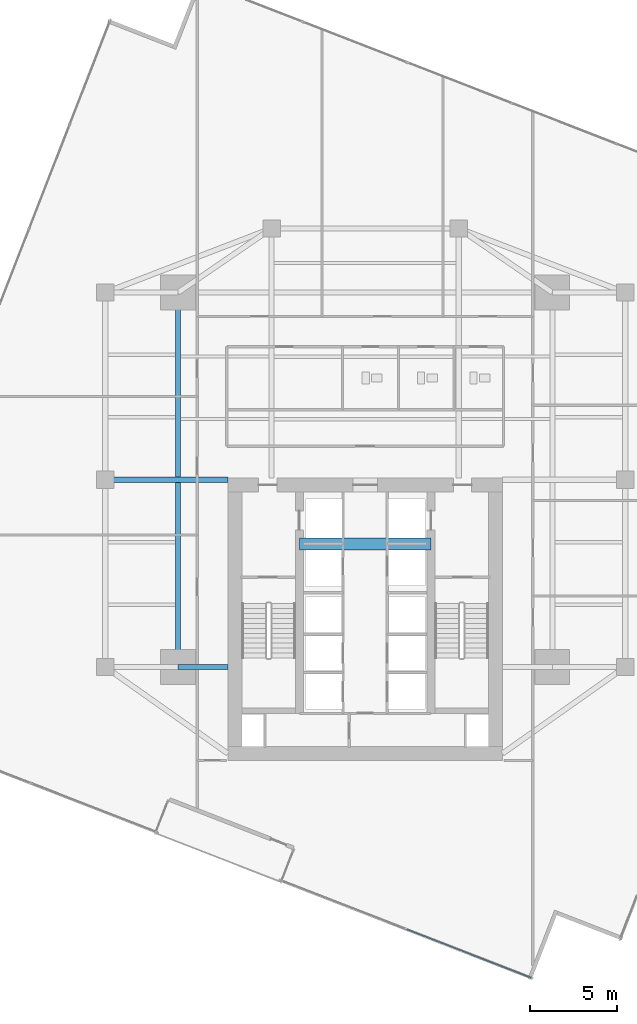
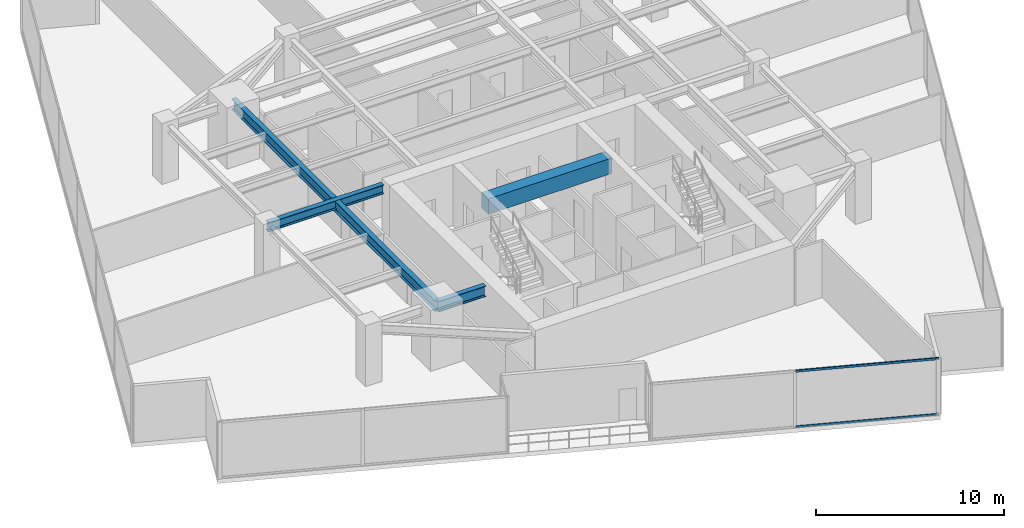
# One storey, part 8 of 26: 4 beams, 2 members, 1 element without a shape of its own.
"""IFC4 building model written with IfcOpenShell, lengths in metres."""

from ifc_helpers import new_model, si_unit, direction, frame, origin, origin_2d, place, context, subcontext, project, spatial, rectangle, hollow_rectangle, i_section, extrude, source, transform, mapped, material, material_profile, profile_set, type_object, type_shapes, element, aggregate, save


model = new_model("IFC4")

# Units and contexts
model_context = context("Model", 3, precision=1e-05, world=origin(), true_north=direction((0.0, 1.0)))
body_context = subcontext(model_context, "Body", "Model", "MODEL_VIEW")
ifc_project = project(units=[si_unit("LENGTHUNIT", "METRE"), si_unit("AREAUNIT", "SQUARE_METRE"), si_unit("VOLUMEUNIT", "CUBIC_METRE"), si_unit("PLANEANGLEUNIT", "RADIAN"), si_unit("MASSUNIT", "GRAM", prefix="KILO")], contexts=[model_context])

# Site, building, storey
site_placement = place(None, origin())
site = spatial("IfcSite", under=ifc_project, at=site_placement, CompositionType="ELEMENT")
building_placement = place(site_placement, origin())
building = spatial("IfcBuilding", under=site, at=building_placement, Name="Krantzveldt Concourse Tower", CompositionType="ELEMENT")
storey_placement = place(building_placement, frame((0.0, 0.0, 133.5)))
storey = spatial("IfcBuildingStorey", under=building, at=storey_placement, Name="L32", CompositionType="ELEMENT", Elevation=133.5)

# Beams
ifc_material_1 = material(Name="Steel S355J2", Category="steel")
ifc_material_profile_1 = material_profile(ifc_material_1, i_section(OverallWidth=0.300048828125, OverallDepth=0.699951171875, WebThickness=0.01708984375, FlangeThickness=0.031982421875, FilletRadius=0.027099609375, at=origin_2d()), Name="Steel S355J2", Category="steel")
ifc_profile_set_1 = profile_set([ifc_material_profile_1], Name="Steel S355J2 - HEB 700")
beam_type_1 = type_object("IfcBeamType", Name="BM-B-HEB700", PredefinedType="BEAM", material=ifc_profile_set_1)
shared_shape_1 = source(origin(), body_context, "Body", "SweptSolid", [
    extrude(i_section(OverallWidth=0.300048828125, OverallDepth=0.699951171875, WebThickness=0.01708984375, FlangeThickness=0.031982421875, FilletRadius=0.027099609375, at=origin_2d()), origin(), (0.0, 0.0, 1.0), 2.880126953125),
])
beam_1_placement = place(storey_placement, frame((25.199951171875, 15.89990234375, 3.320068359375), z_axis=(1.0, 0.0, 0.0), x_axis=(0.0, 1.0, 0.0)))
element("IfcBeam", 1, at=beam_1_placement, inside=storey, type_object=beam_type_1, Name="L32 Tower Girder BG-CW1", PredefinedType="BEAM", context=body_context, shape_type="MappedRepresentation", body=[
    mapped(shared_shape_1, transform((0.0, 0.0, 0.0), x_axis=(1.0, 0.0, 0.0), y_axis=(0.0, 1.0, 0.0), z_axis=(0.0, 0.0, 1.0), scale=1.0)),
])
shared_shape_2 = source(origin(), body_context, "Body", "SweptSolid", [
    extrude(i_section(OverallWidth=0.300048828125, OverallDepth=0.699951171875, WebThickness=0.01708984375, FlangeThickness=0.031982421875, FilletRadius=0.027099609375, at=origin_2d()), origin(), (0.0, 0.0, 1.0), 21.60009765625),
])
type_shapes(beam_type_1, [shared_shape_1, shared_shape_2])
beam_2_placement = place(storey_placement, frame((25.199951171875, 15.89990234375, 3.320068359375), z_axis=(0.0, 1.0, 0.0), x_axis=(-1.0, 0.0, 0.0)))
element("IfcBeam", 2, at=beam_2_placement, inside=storey, type_object=beam_type_1, Name="L32 Tower Girder BG-MW", PredefinedType="BEAM", context=body_context, shape_type="MappedRepresentation", body=[
    mapped(shared_shape_2, transform((0.0, 0.0, 0.0), x_axis=(1.0, 0.0, 0.0), y_axis=(0.0, 1.0, 0.0), z_axis=(0.0, 0.0, 1.0), scale=1.0)),
])
ifc_material_2 = material(Name="Steel S355JR", Category="steel")
ifc_material_profile_2 = material_profile(ifc_material_2, i_section(OverallWidth=0.300048828125, OverallDepth=0.590087890625, WebThickness=0.012939453125, FlangeThickness=0.02490234375, FilletRadius=0.027099609375, at=origin_2d()), Name="Steel S355JR", Category="steel")
ifc_profile_set_2 = profile_set([ifc_material_profile_2], Name="Steel S355JR - HEA 600")
beam_type_2 = type_object("IfcBeamType", Name="BM-B-HEA600", PredefinedType="BEAM", material=ifc_profile_set_2)
shared_shape_3 = source(origin(), body_context, "Body", "SweptSolid", [
    extrude(i_section(OverallWidth=0.300048828125, OverallDepth=0.590087890625, WebThickness=0.012939453125, FlangeThickness=0.02490234375, FilletRadius=0.027099609375, at=origin_2d()), origin(), (0.0, 0.0, 1.0), 7.080078125),
])
type_shapes(beam_type_2, [shared_shape_3])
beam_3_placement = place(storey_placement, frame((21.0, 26.699951171875, 3.375), z_axis=(1.0, 0.0, 0.0), x_axis=(0.0, 1.0, 0.0)))
element("IfcBeam", 3, at=beam_3_placement, inside=storey, type_object=beam_type_2, Name="L32 Tower Girder BG-CW2", PredefinedType="BEAM", context=body_context, shape_type="MappedRepresentation", body=[
    mapped(shared_shape_3, transform((0.0, 0.0, 0.0), x_axis=(1.0, 0.0, 0.0), y_axis=(0.0, 1.0, 0.0), z_axis=(0.0, 0.0, 1.0), scale=1.0)),
])
ifc_material_3 = material(Name="Concrete C50/60", Category="concrete")
ifc_material_profile_3 = material_profile(ifc_material_3, rectangle(XDim=0.699951171875, YDim=1.0, at=origin_2d()), Name="Concrete C50/60", Category="concrete")
ifc_profile_set_3 = profile_set([ifc_material_profile_3], Name="Concrete C50/60 - RC-CB 700x1000")
beam_type_3 = type_object("IfcBeamType", Name="BM-CB-1000", PredefinedType="LINTEL", material=ifc_profile_set_3)
shared_shape_4 = source(origin(), body_context, "Body", "SweptSolid", [
    extrude(rectangle(XDim=0.699951171875, YDim=1.0, at=origin_2d()), origin(), (0.0, 0.0, 1.0), 7.580078125),
])
type_shapes(beam_type_3, [shared_shape_4])
beam_4_placement = place(storey_placement, frame((32.2099609375, 23.0, 3.169921875), z_axis=(1.0, 0.0, 0.0), x_axis=(0.0, 1.0, 0.0)))
element("IfcBeam", 4, at=beam_4_placement, inside=storey, type_object=beam_type_3, Name="CB-L32-01", PredefinedType="LINTEL", context=body_context, shape_type="MappedRepresentation", body=[
    mapped(shared_shape_4, transform((0.0, 0.0, 0.0), x_axis=(1.0, 0.0, 0.0), y_axis=(0.0, 1.0, 0.0), z_axis=(0.0, 0.0, 1.0), scale=1.0)),
])

# Curtain wall, members
ifc_material_4 = material(Name="Anodised aluminium 6063-T6", Category="aluminium")
curtain_wall_type = type_object("IfcCurtainWallType", Name="CW2", PredefinedType="USERDEFINED", material=ifc_material_4)
curtain_wall_placement = place(storey_placement, origin())
curtain_wall = element("IfcCurtainWall", 5, at=curtain_wall_placement, inside=storey, type_object=curtain_wall_type, Name="CW-L32-F08", ObjectType="UNITISED CURTAIN WALL", PredefinedType="USERDEFINED")
ifc_material_profile_4 = material_profile(ifc_material_4, hollow_rectangle(XDim=0.070068359375, YDim=0.139892578125, WallThickness=0.0048828125, at=origin_2d()), Name="Anodised aluminium 6063-T6", Category="aluminium")
ifc_profile_set_4 = profile_set([ifc_material_profile_4], Name="Anodised aluminium 6063-T6 - ALU-TRAN 140x70x5")
member_type = type_object("IfcMemberType", Name="CW-TRN-150", PredefinedType="USERDEFINED", material=ifc_profile_set_4)
shared_shape_5 = source(origin(), body_context, "Body", "SweptSolid", [
    extrude(hollow_rectangle(XDim=0.070068359375, YDim=0.139892578125, WallThickness=0.0048828125, at=origin_2d()), origin(), (0.0, 0.0, 1.0), 7.695068359375),
])
type_shapes(member_type, [shared_shape_5])
member_1_placement = place(storey_placement, frame((38.3955078125, 0.7578125, 0.034912109375), z_axis=(0.9320153886, -0.362418701797, 0.0), x_axis=(0.362418701797, 0.9320153886, 0.0)))
member_1 = element("IfcMember", 6, at=member_1_placement, type_object=member_type, Name="CW-Z12 transom 2.1", ObjectType="TRANSOM", PredefinedType="USERDEFINED", context=body_context, shape_type="MappedRepresentation", body=[
    mapped(shared_shape_5, transform((0.0, 0.0, 0.0), x_axis=(1.0, 0.0, 0.0), y_axis=(0.0, 1.0, 0.0), z_axis=(0.0, 0.0, 1.0), scale=1.0)),
])
member_2_placement = place(storey_placement, frame((38.3955078125, 0.7578125, 3.635009765625), z_axis=(0.9320153886, -0.362418701797, 0.0), x_axis=(0.362418701797, 0.9320153886, 0.0)))
member_2 = element("IfcMember", 7, at=member_2_placement, type_object=member_type, Name="CW-Z12 transom 2.2", ObjectType="TRANSOM", PredefinedType="USERDEFINED", context=body_context, shape_type="MappedRepresentation", body=[
    mapped(shared_shape_5, transform((0.0, 0.0, 0.0), x_axis=(1.0, 0.0, 0.0), y_axis=(0.0, 1.0, 0.0), z_axis=(0.0, 0.0, 1.0), scale=1.0)),
])
aggregate(curtain_wall, [member_1, member_2])

save(model, "model.ifc")
